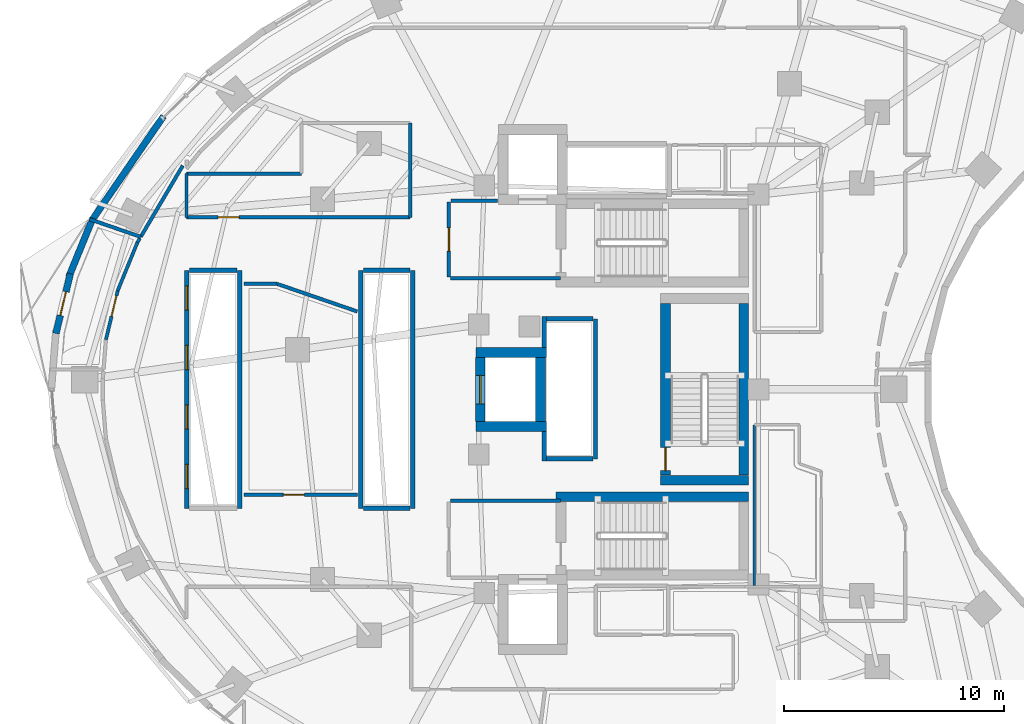
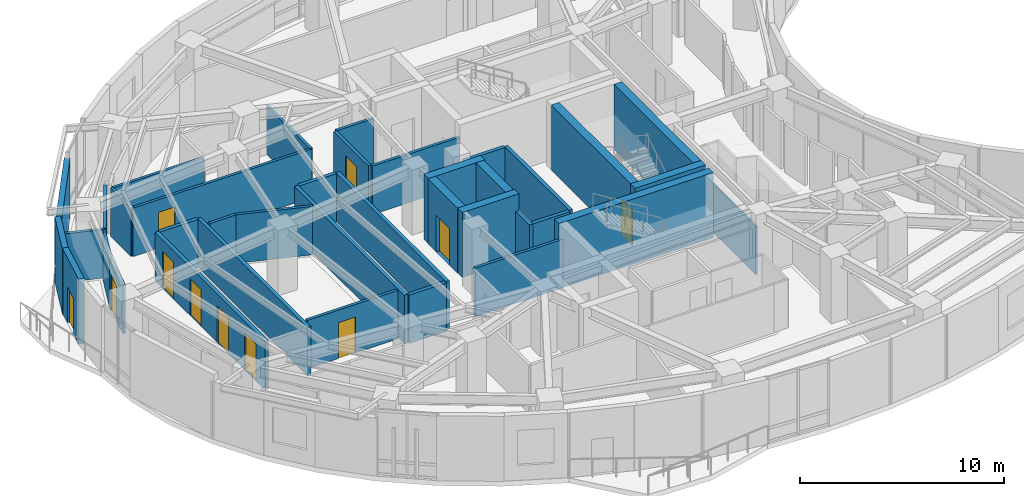
# One storey, part 9 of 15: 40 walls, 11 doors, 11 openings.
"""IFC4 building model written with IfcOpenShell, lengths in metres."""

from ifc_helpers import new_model, si_unit, direction, frame, frame_2d, origin, place, context, subcontext, project, spatial, rectangle, extrude, material, layer, layer_set, type_object, element, fill, save


model = new_model("IFC4")

# Units and contexts
model_context = context("Model", 3, precision=1e-05, world=origin(), true_north=direction((0.0, 1.0)))
body_context = subcontext(model_context, "Body", "Model", "MODEL_VIEW")
ifc_project = project(units=[si_unit("LENGTHUNIT", "METRE"), si_unit("AREAUNIT", "SQUARE_METRE"), si_unit("VOLUMEUNIT", "CUBIC_METRE"), si_unit("PLANEANGLEUNIT", "RADIAN"), si_unit("MASSUNIT", "GRAM", prefix="KILO")], contexts=[model_context])

# Site, building, storey
site_placement = place(None, origin())
site = spatial("IfcSite", under=ifc_project, at=site_placement, CompositionType="ELEMENT")
building_placement = place(site_placement, origin())
building = spatial("IfcBuilding", under=site, at=building_placement, Name="Korentha Bioscience Tower", CompositionType="ELEMENT")
storey_placement = place(building_placement, frame((0.0, 0.0, 127.800048828125)))
storey = spatial("IfcBuildingStorey", under=building, at=storey_placement, Name="L29", CompositionType="ELEMENT", Elevation=127.800048828125)

# Wall, opening, door
ifc_material_1 = material(Name="Double-Stud Acoustic Gypsum", Category="gypsum")
ifc_layer_1 = layer(ifc_material_1, 0.14990234375, Name="Double-Stud Acoustic Gypsum")
ifc_layer_set_1 = layer_set([ifc_layer_1], Name="Double-Stud Acoustic Gypsum (IW-L150)")
wall_type_1 = type_object("IfcWallType", Name="Acoustic Laboratory Partition Wall 150", PredefinedType="PARTITIONING", material=ifc_layer_set_1)
wall_1_placement = place(storey_placement, frame((21.739990234375, 34.81005859375, 0.0), z_axis=(0.0, 0.0, 1.0), x_axis=(-1.0, 0.0, 0.0)))
wall_1 = element("IfcWall", 1, at=wall_1_placement, inside=storey, type_object=wall_type_1, Name="L29 Engineered Bio-Foundry Wet Lab 10 Entrance Wall", PredefinedType="PARTITIONING", context=body_context, shape_type="SweptSolid", body=[
    extrude(rectangle(XDim=10.14990234375, YDim=0.14990234375, at=frame_2d((5.074951171875, 0.0))), origin(), (0.0, 0.0, 1.0), 2.909912109375),
])
opening_1_placement = place(wall_1_placement, frame((7.76220703125, 0.0, 0.0)))
opening_1 = element("IfcOpeningElement", 2, at=opening_1_placement, cuts=wall_1, Name="Opening ID-10L", PredefinedType="OPENING", context=body_context, shape_type="SweptSolid", body=[
    extrude(rectangle(XDim=0.949951171875, YDim=2.14990234375, at=frame_2d((0.47509765625, 1.074951171875))), frame((0.0, 0.08984375, 0.0), z_axis=(0.0, -1.0, 0.0), x_axis=(1.0, 0.0, 0.0)), (0.0, 0.0, 1.0), 0.1796875),
])
ifc_material_2 = material(Name="Phenolic Laminate Timber Core", Category="wood")
door_type_1 = type_object("IfcDoorType", Name="Laboratory Single Leaf Door 950x2150 Left", OperationType="SINGLE_SWING_LEFT", PredefinedType="DOOR", material=ifc_material_2)
door_1_placement = place(opening_1_placement, origin())
door_1 = element("IfcDoor", 3, at=door_1_placement, inside=storey, type_object=door_type_1, Name="L29 Engineered Bio-Foundry Wet Lab 10 Door", OperationType="SINGLE_SWING_LEFT", OverallHeight=2.14990234375, OverallWidth=0.949951171875, PredefinedType="DOOR", context=body_context, shape_type="SweptSolid", body=[
    extrude(rectangle(XDim=0.949951171875, YDim=2.14990234375, at=frame_2d((0.47509765625, 1.074951171875))), frame((0.0, 0.02490234375, 0.0), z_axis=(0.0, -1.0, 0.0), x_axis=(1.0, 0.0, 0.0)), (0.0, 0.0, 1.0), 0.050048828125),
])
fill(opening_1, door_1)

wall_2_placement = place(storey_placement, frame((8.4658203125, 31.478515625, 0.0), z_axis=(0.0, 0.0, 1.0), x_axis=(-0.233675196412, -0.972314713754, 0.0)))
wall_2 = element("IfcWall", 4, at=wall_2_placement, inside=storey, type_object=wall_type_1, Name="L29 Robotic Liquid-Handling Suite 11 Entrance Wall", PredefinedType="PARTITIONING", context=body_context, shape_type="SweptSolid", body=[
    extrude(rectangle(XDim=2.291259765625, YDim=0.14990234375, at=frame_2d((1.1455078125, 0.0))), origin(), (0.0, 0.0, 1.0), 2.909912109375),
])
opening_2_placement = place(wall_2_placement, frame((0.239990234375, 0.0, 0.0)))
opening_2 = element("IfcOpeningElement", 5, at=opening_2_placement, cuts=wall_2, Name="Opening ID-10R", PredefinedType="OPENING", context=body_context, shape_type="SweptSolid", body=[
    extrude(rectangle(XDim=0.949951171875, YDim=2.14990234375, at=frame_2d((0.47509765625, 1.074951171875))), frame((0.0, 0.08984375, 0.0), z_axis=(0.0, -1.0, 0.0), x_axis=(1.0, 0.0, 0.0)), (0.0, 0.0, 1.0), 0.1796875),
])
door_type_2 = type_object("IfcDoorType", Name="Laboratory Single Leaf Door 950x2150 Right", OperationType="SINGLE_SWING_RIGHT", PredefinedType="DOOR", material=ifc_material_2)
door_2_placement = place(opening_2_placement, origin())
door_2 = element("IfcDoor", 6, at=door_2_placement, inside=storey, type_object=door_type_2, Name="L29 Robotic Liquid-Handling Suite 11 Door", OperationType="SINGLE_SWING_RIGHT", OverallHeight=2.14990234375, OverallWidth=0.949951171875, PredefinedType="DOOR", context=body_context, shape_type="SweptSolid", body=[
    extrude(rectangle(XDim=0.949951171875, YDim=2.14990234375, at=frame_2d((0.47509765625, 1.074951171875))), frame((0.0, 0.02490234375, 0.0), z_axis=(0.0, -1.0, 0.0), x_axis=(1.0, 0.0, 0.0)), (0.0, 0.0, 1.0), 0.050048828125),
])
fill(opening_2, door_2)

# Walls
wall_3_placement = place(storey_placement, frame((21.739990234375, 39.090087890625, 0.0), z_axis=(0.0, 0.0, 1.0), x_axis=(0.0, -1.0, 0.0)))
element("IfcWall", 7, at=wall_3_placement, inside=storey, type_object=wall_type_1, Name="L29 Interior Partition 088", PredefinedType="PARTITIONING", context=body_context, shape_type="SweptSolid", body=[
    extrude(rectangle(XDim=4.280029296875, YDim=0.14990234375, at=frame_2d((2.14013671875, 0.0))), origin(), (0.0, 0.0, 1.0), 2.909912109375),
])
wall_4_placement = place(storey_placement, frame((11.590087890625, 34.81005859375, 0.0), z_axis=(0.0, 0.0, 1.0), x_axis=(0.0, 1.0, 0.0)))
element("IfcWall", 8, at=wall_4_placement, inside=storey, type_object=wall_type_1, Name="L29 Interior Partition 089", PredefinedType="PARTITIONING", context=body_context, shape_type="SweptSolid", body=[
    extrude(rectangle(XDim=1.97998046875, YDim=0.14990234375, at=frame_2d((0.989990234375, 0.0))), origin(), (0.0, 0.0, 1.0), 2.909912109375),
])
wall_5_placement = place(storey_placement, frame((11.590087890625, 36.7900390625, 0.0), z_axis=(0.0, 0.0, 1.0), x_axis=(1.0, 0.0, 0.0)))
element("IfcWall", 9, at=wall_5_placement, inside=storey, type_object=wall_type_1, Name="L29 Interior Partition 090", PredefinedType="PARTITIONING", context=body_context, shape_type="SweptSolid", body=[
    extrude(rectangle(XDim=5.2099609375, YDim=0.14990234375, at=frame_2d((2.60498046875, 0.0))), origin(), (0.0, 0.0, 1.0), 2.909912109375),
])
wall_6_placement = place(storey_placement, frame((9.46826171875, 33.848876953125, 0.0), z_axis=(0.0, 0.0, 1.0), x_axis=(-0.507963400782, -0.86137865278, 0.0)))
element("IfcWall", 10, at=wall_6_placement, inside=storey, type_object=wall_type_1, Name="L29 Interior Partition 091", PredefinedType="PARTITIONING", context=body_context, shape_type="SweptSolid", body=[
    extrude(rectangle(XDim=0.21484375, YDim=0.14990234375, at=frame_2d((0.107421875, 0.0))), origin(), (0.0, 0.0, 1.0), 2.909912109375),
])
wall_7_placement = place(storey_placement, frame((9.3583984375, 33.66259765625, 0.0), z_axis=(0.0, 0.0, 1.0), x_axis=(-0.378306283753, -0.925680482495, 0.0)))
element("IfcWall", 11, at=wall_7_placement, inside=storey, type_object=wall_type_1, Name="L29 Interior Partition 092", PredefinedType="PARTITIONING", context=body_context, shape_type="SweptSolid", body=[
    extrude(rectangle(XDim=2.358154296875, YDim=0.14990234375, at=frame_2d((1.17919921875, 0.0))), origin(), (0.0, 0.0, 1.0), 2.909912109375),
])
ifc_material_3 = material(Name="Fire-Rated Framed Glass", Category="glass")
ifc_layer_2 = layer(ifc_material_3, 0.110107421875, Name="Fire-Rated Framed Glass")
ifc_layer_set_2 = layer_set([ifc_layer_2], Name="Fire-Rated Framed Glass (IW-G110)")
wall_type_2 = type_object("IfcWallType", Name="Demountable Glazed Office Partition 110", PredefinedType="MOVABLE", material=ifc_layer_set_2)
wall_8_placement = place(storey_placement, frame((37.360107421875, 18.10009765625, 0.0), z_axis=(0.0, 0.0, 1.0), x_axis=(0.0, 1.0, 0.0)))
element("IfcWall", 12, at=wall_8_placement, inside=storey, type_object=wall_type_2, Name="L29 Interior Partition 055", PredefinedType="MOVABLE", context=body_context, shape_type="SweptSolid", body=[
    extrude(rectangle(XDim=7.289794921875, YDim=0.110107421875, at=frame_2d((3.64501953125, 0.0))), origin(), (0.0, 0.0, 1.0), 2.909912109375),
])

# Wall, opening, door
ifc_material_4 = material(Name="Gypsum-Clad Steel Stud", Category="steel")
ifc_layer_3 = layer(ifc_material_4, 0.159912109375, Name="Gypsum-Clad Steel Stud")
ifc_layer_set_3 = layer_set([ifc_layer_3], Name="Gypsum-Clad Steel Stud (IW-C160)")
wall_type_3 = type_object("IfcWallType", Name="Fire-Rated Corridor Partition Wall 160", PredefinedType="PARTITIONING", material=ifc_layer_set_3)
wall_9_placement = place(storey_placement, frame((23.5, 32.10009765625, 0.0), z_axis=(0.0, 0.0, 1.0), x_axis=(0.0, 1.0, 0.0)))
wall_9 = element("IfcWall", 13, at=wall_9_placement, inside=storey, type_object=wall_type_3, Name="L29 FFLN-CW Rated Enclosure Wall", PredefinedType="PARTITIONING", context=body_context, shape_type="SweptSolid", body=[
    extrude(rectangle(XDim=3.39990234375, YDim=0.159912109375, at=frame_2d((1.699951171875, 0.0))), origin(), (0.0, 0.0, 1.0), 2.909912109375),
])
opening_3_placement = place(wall_9_placement, frame((1.175048828125, 0.0, 0.0)))
opening_3 = element("IfcOpeningElement", 14, at=opening_3_placement, cuts=wall_9, Name="Opening FD-90R", PredefinedType="OPENING", context=body_context, shape_type="SweptSolid", body=[
    extrude(rectangle(XDim=1.050048828125, YDim=2.14990234375, at=frame_2d((0.52490234375, 1.074951171875))), frame((0.0, 0.0947265625, 0.0), z_axis=(0.0, -1.0, 0.0), x_axis=(1.0, 0.0, 0.0)), (0.0, 0.0, 1.0), 0.189697265625),
])
ifc_material_5 = material(Name="Powder-Coated Fire-Rated Steel", Category="steel")
door_type_3 = type_object("IfcDoorType", Name="Stairwell Fire Exit Door 1050x2150 Right", OperationType="SINGLE_SWING_RIGHT", PredefinedType="DOOR", material=ifc_material_5)
door_3_placement = place(opening_3_placement, origin())
door_3 = element("IfcDoor", 15, at=door_3_placement, inside=storey, type_object=door_type_3, Name="L29 North Firefighting Lobby Door", OperationType="SINGLE_SWING_RIGHT", OverallHeight=2.14990234375, OverallWidth=1.050048828125, PredefinedType="DOOR", context=body_context, shape_type="SweptSolid", body=[
    extrude(rectangle(XDim=1.050048828125, YDim=2.14990234375, at=frame_2d((0.52490234375, 1.074951171875))), frame((0.0, 0.02490234375, 0.0), z_axis=(0.0, -1.0, 0.0), x_axis=(1.0, 0.0, 0.0)), (0.0, 0.0, 1.0), 0.050048828125),
])
fill(opening_3, door_3)

# Walls
wall_10_placement = place(storey_placement, frame((23.580078125, 32.050048828125, 0.0), z_axis=(0.0, 0.0, 1.0), x_axis=(1.0, 0.0, 0.0)))
element("IfcWall", 16, at=wall_10_placement, inside=storey, type_object=wall_type_3, Name="L29 Firefighting Lobby Return Wall FFLN-S", PredefinedType="PARTITIONING", context=body_context, shape_type="SweptSolid", body=[
    extrude(rectangle(XDim=4.969970703125, YDim=0.159912109375, at=frame_2d((2.48486328125, 0.0))), origin(), (0.0, 0.0, 1.0), 2.909912109375),
])
wall_11_placement = place(storey_placement, frame((23.580078125, 35.550048828125, 0.0), z_axis=(0.0, 0.0, 1.0), x_axis=(1.0, 0.0, 0.0)))
element("IfcWall", 17, at=wall_11_placement, inside=storey, type_object=wall_type_3, Name="L29 Firefighting Lobby Return Wall FFLN-N", PredefinedType="PARTITIONING", context=body_context, shape_type="SweptSolid", body=[
    extrude(rectangle(XDim=2.119873046875, YDim=0.159912109375, at=frame_2d((1.06005859375, 0.0))), origin(), (0.0, 0.0, 1.0), 2.909912109375),
])
wall_12_placement = place(storey_placement, frame((23.580078125, 21.949951171875, 0.0), z_axis=(0.0, 0.0, 1.0), x_axis=(1.0, 0.0, 0.0)))
element("IfcWall", 18, at=wall_12_placement, inside=storey, type_object=wall_type_3, Name="L29 Firefighting Lobby Return Wall FFLS-N", PredefinedType="PARTITIONING", context=body_context, shape_type="SweptSolid", body=[
    extrude(rectangle(XDim=4.969970703125, YDim=0.159912109375, at=frame_2d((2.48486328125, 0.0))), origin(), (0.0, 0.0, 1.0), 2.909912109375),
])

# Wall, opening, door
wall_13_placement = place(storey_placement, frame((19.340087890625, 22.2099609375, 0.0), z_axis=(0.0, 0.0, 1.0), x_axis=(-1.0, 0.0, 0.0)))
wall_13 = element("IfcWall", 19, at=wall_13_placement, inside=storey, type_object=wall_type_3, Name="L29 Biospecimen Archive Store 01 Entrance Wall", PredefinedType="PARTITIONING", context=body_context, shape_type="SweptSolid", body=[
    extrude(rectangle(XDim=5.13818359375, YDim=0.159912109375, at=frame_2d((2.569091796875, 0.0))), origin(), (0.0, 0.0, 1.0), 2.909912109375),
])
opening_4_placement = place(wall_13_placement, frame((2.40625, 0.0, 0.0)))
opening_4 = element("IfcOpeningElement", 20, at=opening_4_placement, cuts=wall_13, Name="Opening ID-10R", PredefinedType="OPENING", context=body_context, shape_type="SweptSolid", body=[
    extrude(rectangle(XDim=0.949951171875, YDim=2.14990234375, at=frame_2d((0.47509765625, 1.074951171875))), frame((0.0, 0.0947265625, 0.0), z_axis=(0.0, -1.0, 0.0), x_axis=(1.0, 0.0, 0.0)), (0.0, 0.0, 1.0), 0.189697265625),
])
door_4_placement = place(opening_4_placement, origin())
door_4 = element("IfcDoor", 21, at=door_4_placement, inside=storey, type_object=door_type_2, Name="L29 Biospecimen Archive Store 01 Door", OperationType="SINGLE_SWING_RIGHT", OverallHeight=2.14990234375, OverallWidth=0.949951171875, PredefinedType="DOOR", context=body_context, shape_type="SweptSolid", body=[
    extrude(rectangle(XDim=0.949951171875, YDim=2.14990234375, at=frame_2d((0.47509765625, 1.074951171875))), frame((0.0, 0.02490234375, 0.0), z_axis=(0.0, -1.0, 0.0), x_axis=(1.0, 0.0, 0.0)), (0.0, 0.0, 1.0), 0.050048828125),
])
fill(opening_4, door_4)

# Walls
wall_14_placement = place(storey_placement, frame((14.201904296875, 31.7900390625, 0.0), z_axis=(0.0, 0.0, 1.0), x_axis=(1.0, 0.0, 0.0)))
element("IfcWall", 22, at=wall_14_placement, inside=storey, type_object=wall_type_3, Name="L29 Interior Partition 019", PredefinedType="PARTITIONING", context=body_context, shape_type="SweptSolid", body=[
    extrude(rectangle(XDim=1.488525390625, YDim=0.159912109375, at=frame_2d((0.744140625, 0.0))), origin(), (0.0, 0.0, 1.0), 2.909912109375),
])
wall_15_placement = place(storey_placement, frame((15.6904296875, 31.7900390625, 0.0), z_axis=(0.0, 0.0, 1.0), x_axis=(0.945518754025, -0.32556763627, 0.0)))
element("IfcWall", 23, at=wall_15_placement, inside=storey, type_object=wall_type_3, Name="L29 Interior Partition 020", PredefinedType="PARTITIONING", context=body_context, shape_type="SweptSolid", body=[
    extrude(rectangle(XDim=3.859619140625, YDim=0.159912109375, at=frame_2d((1.9296875, 0.0))), origin(), (0.0, 0.0, 1.0), 2.909912109375),
])
wall_16_placement = place(storey_placement, frame((11.418701171875, 37.154296875, 0.0), z_axis=(0.0, 0.0, 1.0), x_axis=(-0.508216412194, -0.861229399392, 0.0)))
element("IfcWall", 24, at=wall_16_placement, inside=storey, type_object=wall_type_3, Name="L29 Interior Partition 084", PredefinedType="PARTITIONING", context=body_context, shape_type="SweptSolid", body=[
    extrude(rectangle(XDim=3.753173828125, YDim=0.159912109375, at=frame_2d((1.87646484375, 0.0))), origin(), (0.0, 0.0, 1.0), 2.909912109375),
])
wall_17_placement = place(storey_placement, frame((9.51123046875, 33.921875, 0.0), z_axis=(0.0, 0.0, 1.0), x_axis=(-0.945502944909, 0.325613545737, 0.0)))
element("IfcWall", 25, at=wall_17_placement, inside=storey, type_object=wall_type_3, Name="L29 Interior Partition 085", PredefinedType="PARTITIONING", context=body_context, shape_type="SweptSolid", body=[
    extrude(rectangle(XDim=2.4541015625, YDim=0.159912109375, at=frame_2d((1.22705078125, 0.0))), origin(), (0.0, 0.0, 1.0), 2.909912109375),
])

# Wall, opening, door
ifc_material_6 = material(Name="Honed Limestone Precast Concrete C40", Category="masonry")
ifc_layer_4 = layer(ifc_material_6, 0.300048828125, Name="Honed Limestone Precast Concrete C40")
ifc_layer_set_4 = layer_set([ifc_layer_4], Name="Honed Limestone Precast Concrete C40 (EW-ST300)")
wall_type_4 = type_object("IfcWallType", Name="Honed Limestone Cavity Spandrel Wall 300", PredefinedType="STANDARD", material=ifc_layer_set_4)
wall_18_placement = place(storey_placement, frame((6.316162109375, 32.248046875, 0.0), z_axis=(0.0, 0.0, 1.0), x_axis=(-0.233687533313, -0.972311748759, 0.0)))
wall_18 = element("IfcWall", 26, at=wall_18_placement, inside=storey, type_object=wall_type_4, Name="L29 Balcony Threshold Wall 02", PredefinedType="STANDARD", context=body_context, shape_type="SweptSolid", body=[
    extrude(rectangle(XDim=2.788330078125, YDim=0.300048828125, at=frame_2d((1.39404296875, 0.0))), origin(), (0.0, 0.0, 1.0), 3.89990234375),
])
opening_5_placement = place(wall_18_placement, frame((0.84423828125, 0.0, 0.0)))
opening_5 = element("IfcOpeningElement", 27, at=opening_5_placement, cuts=wall_18, Name="Opening BD-11R", PredefinedType="OPENING", context=body_context, shape_type="SweptSolid", body=[
    extrude(rectangle(XDim=1.10009765625, YDim=2.14990234375, at=frame_2d((0.550048828125, 1.074951171875))), frame((0.0, 0.1650390625, 0.0), z_axis=(0.0, -1.0, 0.0), x_axis=(1.0, 0.0, 0.0)), (0.0, 0.0, 1.0), 0.329833984375),
])
ifc_material_7 = material(Name="Thermally Broken Glazed Aluminium", Category="aluminium")
door_type_4 = type_object("IfcDoorType", Name="Balcony Terrace Glazed Door 1100x2150 Right", OperationType="SINGLE_SWING_RIGHT", PredefinedType="DOOR", material=ifc_material_7)
door_5_placement = place(opening_5_placement, origin())
door_5 = element("IfcDoor", 28, at=door_5_placement, inside=storey, type_object=door_type_4, Name="L29 Balcony Access Door 02", OperationType="SINGLE_SWING_RIGHT", OverallHeight=2.14990234375, OverallWidth=1.10009765625, PredefinedType="DOOR", context=body_context, shape_type="SweptSolid", body=[
    extrude(rectangle(XDim=1.10009765625, YDim=2.14990234375, at=frame_2d((0.550048828125, 1.074951171875))), frame((0.0, 0.02490234375, 0.0), z_axis=(0.0, -1.0, 0.0), x_axis=(1.0, 0.0, 0.0)), (0.0, 0.0, 1.0), 0.050048828125),
])
fill(opening_5, door_5)

# Walls
wall_19_placement = place(storey_placement, frame((10.54833984375, 39.400390625, 0.0), z_axis=(0.0, 0.0, 1.0), x_axis=(-0.566825798999, -0.823837674296, 0.0)))
element("IfcWall", 29, at=wall_19_placement, inside=storey, type_object=wall_type_4, Name="L29 Limestone Perimeter Closure Wall 14", PredefinedType="STANDARD", context=body_context, shape_type="SweptSolid", body=[
    extrude(rectangle(XDim=5.825927734375, YDim=0.300048828125, at=frame_2d((2.9130859375, 0.0))), origin(), (0.0, 0.0, 1.0), 3.469970703125),
])
wall_20_placement = place(storey_placement, frame((7.336181640625, 34.76708984375, 0.0), z_axis=(0.0, 0.0, 1.0), x_axis=(-0.378421675944, -0.925633315722, 0.0)))
element("IfcWall", 30, at=wall_20_placement, inside=storey, type_object=wall_type_4, Name="L29 Limestone Perimeter Closure Wall 16", PredefinedType="STANDARD", context=body_context, shape_type="SweptSolid", body=[
    extrude(rectangle(XDim=2.88134765625, YDim=0.300048828125, at=frame_2d((1.440673828125, 0.0))), origin(), (0.0, 0.0, 1.0), 3.89990234375),
])

# Wall, openings, doors
ifc_material_8 = material(Name="Autoclaved Aerated Concrete Block C25", Category="concrete")
ifc_layer_5 = layer(ifc_material_8, 0.199951171875, Name="Autoclaved Aerated Concrete Block C25")
ifc_layer_set_5 = layer_set([ifc_layer_5], Name="Autoclaved Aerated Concrete Block C25 (IW-S200)")
wall_type_5 = type_object("IfcWallType", Name="Lift and Riser Shaft Enclosure Wall 200", PredefinedType="PARTITIONING", material=ifc_layer_set_5)
wall_21_placement = place(storey_placement, frame((11.60009765625, 21.60009765625, 0.0), z_axis=(0.0, 0.0, 1.0), x_axis=(0.0, 1.0, 0.0)))
wall_21 = element("IfcWall", 31, at=wall_21_placement, inside=storey, type_object=wall_type_5, Name="L29 Lift Bank LOW Shaft Wall -X", PredefinedType="PARTITIONING", context=body_context, shape_type="SweptSolid", body=[
    extrude(rectangle(XDim=10.7998046875, YDim=0.199951171875, at=frame_2d((5.39990234375, 0.0))), origin(), (0.0, 0.0, 1.0), 2.909912109375),
])
opening_6_placement = place(wall_21_placement, frame((0.89990234375, 0.0, 0.0)))
opening_6 = element("IfcOpeningElement", 32, at=opening_6_placement, cuts=wall_21, Name="Opening LD-11", PredefinedType="OPENING", context=body_context, shape_type="SweptSolid", body=[
    extrude(rectangle(XDim=1.10009765625, YDim=2.199951171875, at=frame_2d((0.550048828125, 1.10009765625))), frame((0.0, 0.11474609375, 0.0), z_axis=(0.0, -1.0, 0.0), x_axis=(1.0, 0.0, 0.0)), (0.0, 0.0, 1.0), 0.229736328125),
])
opening_7_placement = place(wall_21_placement, frame((3.60009765625, 0.0, 0.0)))
opening_7 = element("IfcOpeningElement", 33, at=opening_7_placement, cuts=wall_21, Name="Opening LD-11", PredefinedType="OPENING", context=body_context, shape_type="SweptSolid", body=[
    extrude(rectangle(XDim=1.10009765625, YDim=2.199951171875, at=frame_2d((0.550048828125, 1.10009765625))), frame((0.0, 0.11474609375, 0.0), z_axis=(0.0, -1.0, 0.0), x_axis=(1.0, 0.0, 0.0)), (0.0, 0.0, 1.0), 0.229736328125),
])
opening_8_placement = place(wall_21_placement, frame((6.300048828125, 0.0, 0.0)))
opening_8 = element("IfcOpeningElement", 34, at=opening_8_placement, cuts=wall_21, Name="Opening LD-11", PredefinedType="OPENING", context=body_context, shape_type="SweptSolid", body=[
    extrude(rectangle(XDim=1.10009765625, YDim=2.199951171875, at=frame_2d((0.550048828125, 1.10009765625))), frame((0.0, 0.11474609375, 0.0), z_axis=(0.0, -1.0, 0.0), x_axis=(1.0, 0.0, 0.0)), (0.0, 0.0, 1.0), 0.229736328125),
])
opening_9_placement = place(wall_21_placement, frame((9.0, 0.0, 0.0)))
opening_9 = element("IfcOpeningElement", 35, at=opening_9_placement, cuts=wall_21, Name="Opening LD-11", PredefinedType="OPENING", context=body_context, shape_type="SweptSolid", body=[
    extrude(rectangle(XDim=1.10009765625, YDim=2.199951171875, at=frame_2d((0.550048828125, 1.10009765625))), frame((0.0, 0.11474609375, 0.0), z_axis=(0.0, -1.0, 0.0), x_axis=(1.0, 0.0, 0.0)), (0.0, 0.0, 1.0), 0.229736328125),
])
ifc_material_9 = material(Name="Brushed Stainless Steel 304", Category="steel")
door_type_5 = type_object("IfcDoorType", Name="Passenger Lift Sliding Landing Door 1100x2200", OperationType="DOUBLE_DOOR_SLIDING", PredefinedType="DOOR", material=ifc_material_9)
door_6_placement = place(opening_6_placement, origin())
door_6 = element("IfcDoor", 36, at=door_6_placement, inside=storey, type_object=door_type_5, Name="L29 PL-L1 Sliding Lift Landing Door", OperationType="DOUBLE_DOOR_SLIDING", OverallHeight=2.199951171875, OverallWidth=1.10009765625, PredefinedType="DOOR", context=body_context, shape_type="SweptSolid", body=[
    extrude(rectangle(XDim=1.10009765625, YDim=2.199951171875, at=frame_2d((0.550048828125, 1.10009765625))), frame((0.0, 0.02490234375, 0.0), z_axis=(0.0, -1.0, 0.0), x_axis=(1.0, 0.0, 0.0)), (0.0, 0.0, 1.0), 0.050048828125),
])
fill(opening_6, door_6)
door_7_placement = place(opening_7_placement, origin())
door_7 = element("IfcDoor", 37, at=door_7_placement, inside=storey, type_object=door_type_5, Name="L29 PL-L2 Sliding Lift Landing Door", OperationType="DOUBLE_DOOR_SLIDING", OverallHeight=2.199951171875, OverallWidth=1.10009765625, PredefinedType="DOOR", context=body_context, shape_type="SweptSolid", body=[
    extrude(rectangle(XDim=1.10009765625, YDim=2.199951171875, at=frame_2d((0.550048828125, 1.10009765625))), frame((0.0, 0.02490234375, 0.0), z_axis=(0.0, -1.0, 0.0), x_axis=(1.0, 0.0, 0.0)), (0.0, 0.0, 1.0), 0.050048828125),
])
fill(opening_7, door_7)
door_8_placement = place(opening_8_placement, origin())
door_8 = element("IfcDoor", 38, at=door_8_placement, inside=storey, type_object=door_type_5, Name="L29 PL-L3 Sliding Lift Landing Door", OperationType="DOUBLE_DOOR_SLIDING", OverallHeight=2.199951171875, OverallWidth=1.10009765625, PredefinedType="DOOR", context=body_context, shape_type="SweptSolid", body=[
    extrude(rectangle(XDim=1.10009765625, YDim=2.199951171875, at=frame_2d((0.550048828125, 1.10009765625))), frame((0.0, 0.02490234375, 0.0), z_axis=(0.0, -1.0, 0.0), x_axis=(1.0, 0.0, 0.0)), (0.0, 0.0, 1.0), 0.050048828125),
])
fill(opening_8, door_8)
door_9_placement = place(opening_9_placement, origin())
door_9 = element("IfcDoor", 39, at=door_9_placement, inside=storey, type_object=door_type_5, Name="L29 PL-L4 Sliding Lift Landing Door", OperationType="DOUBLE_DOOR_SLIDING", OverallHeight=2.199951171875, OverallWidth=1.10009765625, PredefinedType="DOOR", context=body_context, shape_type="SweptSolid", body=[
    extrude(rectangle(XDim=1.10009765625, YDim=2.199951171875, at=frame_2d((0.550048828125, 1.10009765625))), frame((0.0, 0.02490234375, 0.0), z_axis=(0.0, -1.0, 0.0), x_axis=(1.0, 0.0, 0.0)), (0.0, 0.0, 1.0), 0.050048828125),
])
fill(opening_9, door_9)

# Walls
wall_22_placement = place(storey_placement, frame((14.0, 21.60009765625, 0.0), z_axis=(0.0, 0.0, 1.0), x_axis=(0.0, 1.0, 0.0)))
element("IfcWall", 40, at=wall_22_placement, inside=storey, type_object=wall_type_5, Name="L29 Lift Bank LOW Shaft Wall +X", PredefinedType="PARTITIONING", context=body_context, shape_type="SweptSolid", body=[
    extrude(rectangle(XDim=10.7998046875, YDim=0.199951171875, at=frame_2d((5.39990234375, 0.0))), origin(), (0.0, 0.0, 1.0), 2.909912109375),
])
wall_23_placement = place(storey_placement, frame((11.719970703125, 32.39990234375, 0.0), z_axis=(0.0, 0.0, 1.0), x_axis=(1.0, 0.0, 0.0)))
element("IfcWall", 41, at=wall_23_placement, inside=storey, type_object=wall_type_5, Name="L29 Lift Bank LOW Shaft Wall +Y", PredefinedType="PARTITIONING", context=body_context, shape_type="SweptSolid", body=[
    extrude(rectangle(XDim=2.159912109375, YDim=0.199951171875, at=frame_2d((1.080078125, 0.0))), origin(), (0.0, 0.0, 1.0), 2.909912109375),
])
for number, where, z_axis, x_axis, name in (
    (42, (19.5, 21.60009765625, 0.0), (0.0, 0.0, 1.0), (0.0, 1.0, 0.0), "L29 Lift Bank MID Shaft Wall -X"),
    (43, (21.85009765625, 21.60009765625, 0.0), (0.0, 0.0, 1.0), (0.0, 1.0, 0.0), "L29 Lift Bank MID Shaft Wall +X"),
):
    element("IfcWall", number, at=place(storey_placement, frame(where, z_axis=z_axis, x_axis=x_axis)), inside=storey, type_object=wall_type_5, Name=name, PredefinedType="PARTITIONING", context=body_context, shape_type="SweptSolid", body=[
        extrude(rectangle(XDim=10.7998046875, YDim=0.199951171875, at=frame_2d((5.39990234375, 0.0))), origin(), (0.0, 0.0, 1.0), 2.909912109375),
    ])
for number, where, z_axis, x_axis, name in (
    (44, (19.6201171875, 21.60009765625, 0.0), (0.0, 0.0, 1.0), (1.0, 0.0, 0.0), "L29 Lift Bank MID Shaft Wall -Y"),
    (45, (19.6201171875, 32.39990234375, 0.0), (0.0, 0.0, 1.0), (1.0, 0.0, 0.0), "L29 Lift Bank MID Shaft Wall +Y"),
):
    element("IfcWall", number, at=place(storey_placement, frame(where, z_axis=z_axis, x_axis=x_axis)), inside=storey, type_object=wall_type_5, Name=name, PredefinedType="PARTITIONING", context=body_context, shape_type="SweptSolid", body=[
        extrude(rectangle(XDim=2.10986328125, YDim=0.199951171875, at=frame_2d((1.054931640625, 0.0))), origin(), (0.0, 0.0, 1.0), 2.909912109375),
    ])
wall_24_placement = place(storey_placement, frame((27.830078125, 23.75, 0.0), z_axis=(0.0, 0.0, 1.0), x_axis=(0.0, 1.0, 0.0)))
element("IfcWall", 46, at=wall_24_placement, inside=storey, type_object=wall_type_5, Name="L29 Lift Bank HIGH Shaft Wall -XS", PredefinedType="PARTITIONING", context=body_context, shape_type="SweptSolid", body=[
    extrude(rectangle(XDim=1.341064453125, YDim=0.199951171875, at=frame_2d((0.67041015625, 0.0))), origin(), (0.0, 0.0, 1.0), 2.909912109375),
])
wall_25_placement = place(storey_placement, frame((27.830078125, 28.908935546875, 0.0), z_axis=(0.0, 0.0, 1.0), x_axis=(0.0, 1.0, 0.0)))
element("IfcWall", 47, at=wall_25_placement, inside=storey, type_object=wall_type_5, Name="L29 Lift Bank HIGH Shaft Wall -XN", PredefinedType="PARTITIONING", context=body_context, shape_type="SweptSolid", body=[
    extrude(rectangle(XDim=1.39111328125, YDim=0.199951171875, at=frame_2d((0.695556640625, 0.0))), origin(), (0.0, 0.0, 1.0), 2.909912109375),
])
wall_26_placement = place(storey_placement, frame((30.14990234375, 23.85009765625, 0.0), z_axis=(0.0, 0.0, 1.0), x_axis=(0.0, 1.0, 0.0)))
element("IfcWall", 48, at=wall_26_placement, inside=storey, type_object=wall_type_5, Name="L29 Lift Bank HIGH Shaft Wall +X", PredefinedType="PARTITIONING", context=body_context, shape_type="SweptSolid", body=[
    extrude(rectangle(XDim=6.349853515625, YDim=0.199951171875, at=frame_2d((3.1748046875, 0.0))), origin(), (0.0, 0.0, 1.0), 2.909912109375),
])
for number, where, z_axis, x_axis, name in (
    (49, (27.93408203125, 23.85009765625, 0.0), (0.0, 0.0, 1.0), (1.0, 0.0, 0.0), "L29 Lift Bank HIGH Shaft Wall -Y"),
    (50, (27.93408203125, 30.199951171875, 0.0), (0.0, 0.0, 1.0), (1.0, 0.0, 0.0), "L29 Lift Bank HIGH Shaft Wall +Y"),
):
    element("IfcWall", number, at=place(storey_placement, frame(where, z_axis=z_axis, x_axis=x_axis)), inside=storey, type_object=wall_type_5, Name=name, PredefinedType="PARTITIONING", context=body_context, shape_type="SweptSolid", body=[
        extrude(rectangle(XDim=2.095947265625, YDim=0.199951171875, at=frame_2d((1.0478515625, 0.0))), origin(), (0.0, 0.0, 1.0), 2.909912109375),
    ])
ifc_material_10 = material(Name="Concrete C80", Category="concrete")
ifc_layer_6 = layer(ifc_material_10, 0.449951171875, Name="Concrete C80")
ifc_layer_set_6 = layer_set([ifc_layer_6], Name="Concrete C80 (CW-C80)")
wall_type_6 = type_object("IfcWallType", Name="Lower Core Shear Wall 450", PredefinedType="SHEAR", material=ifc_layer_set_6)
wall_27_placement = place(storey_placement, frame((28.35009765625, 22.125, 0.0), z_axis=(0.0, 0.0, 1.0), x_axis=(1.0, 0.0, 0.0)))
element("IfcWall", 51, at=wall_27_placement, inside=storey, type_object=wall_type_6, Name="L29 Core Shear Wall ST2-N", PredefinedType="SHEAR", context=body_context, shape_type="SweptSolid", body=[
    extrude(rectangle(XDim=8.75, YDim=0.449951171875, at=frame_2d((4.375, 0.0))), origin(), (0.0, 0.0, 1.0), 3.89990234375),
])
wall_28_placement = place(storey_placement, frame((33.10009765625, 22.875, 0.0), z_axis=(0.0, 0.0, 1.0), x_axis=(1.0, 0.0, 0.0)))
element("IfcWall", 52, at=wall_28_placement, inside=storey, type_object=wall_type_6, Name="L29 Core Shear Wall ST3-S", PredefinedType="SHEAR", context=body_context, shape_type="SweptSolid", body=[
    extrude(rectangle(XDim=4.0, YDim=0.449951171875, at=frame_2d((2.0, 0.0))), origin(), (0.0, 0.0, 1.0), 3.89990234375),
])
wall_29_placement = place(storey_placement, frame((36.875, 23.110107421875, 0.0), z_axis=(0.0, 0.0, 1.0), x_axis=(0.0, 1.0, 0.0)))
element("IfcWall", 53, at=wall_29_placement, inside=storey, type_object=wall_type_6, Name="L29 Core Shear Wall ST3-E", PredefinedType="SHEAR", context=body_context, shape_type="SweptSolid", body=[
    extrude(rectangle(XDim=7.77978515625, YDim=0.449951171875, at=frame_2d((3.889892578125, 0.0))), origin(), (0.0, 0.0, 1.0), 3.89990234375),
])

# Wall, opening, door
wall_30_placement = place(storey_placement, frame((33.324951171875, 23.110107421875, 0.0), z_axis=(0.0, 0.0, 1.0), x_axis=(0.0, 1.0, 0.0)))
wall_30 = element("IfcWall", 54, at=wall_30_placement, inside=storey, type_object=wall_type_6, Name="L29 Core Shear Wall ST3-W", PredefinedType="SHEAR", context=body_context, shape_type="SweptSolid", body=[
    extrude(rectangle(XDim=7.77978515625, YDim=0.449951171875, at=frame_2d((3.889892578125, 0.0))), origin(), (0.0, 0.0, 1.0), 3.89990234375),
])
opening_10_placement = place(wall_30_placement, frame((0.199951171875, 0.0, 0.0)))
opening_10 = element("IfcOpeningElement", 55, at=opening_10_placement, cuts=wall_30, Name="Opening FD-90R", PredefinedType="OPENING", context=body_context, shape_type="SweptSolid", body=[
    extrude(rectangle(XDim=1.050048828125, YDim=2.14990234375, at=frame_2d((0.52490234375, 1.074951171875))), frame((0.0, 0.23974609375, 0.0), z_axis=(0.0, -1.0, 0.0), x_axis=(1.0, 0.0, 0.0)), (0.0, 0.0, 1.0), 0.479736328125),
])
door_10_placement = place(opening_10_placement, origin())
door_10 = element("IfcDoor", 56, at=door_10_placement, inside=storey, type_object=door_type_3, Name="L29 ST-3 Fire Exit Stair Door", OperationType="SINGLE_SWING_RIGHT", OverallHeight=2.14990234375, OverallWidth=1.050048828125, PredefinedType="DOOR", context=body_context, shape_type="SweptSolid", body=[
    extrude(rectangle(XDim=1.050048828125, YDim=2.14990234375, at=frame_2d((0.52490234375, 1.074951171875))), frame((0.0, 0.02490234375, 0.0), z_axis=(0.0, -1.0, 0.0), x_axis=(1.0, 0.0, 0.0)), (0.0, 0.0, 1.0), 0.050048828125),
])
fill(opening_10, door_10)

# Walls
for number, where, z_axis, x_axis, name in (
    (57, (24.719970703125, 28.679931640625, 0.0), (0.0, 0.0, 1.0), (1.0, 0.0, 0.0), "L29 Core Shear Wall SVL1-N"),
    (58, (24.719970703125, 25.320068359375, 0.0), (0.0, 0.0, 1.0), (1.0, 0.0, 0.0), "L29 Core Shear Wall SVL1-S"),
):
    element("IfcWall", number, at=place(storey_placement, frame(where, z_axis=z_axis, x_axis=x_axis)), inside=storey, type_object=wall_type_6, Name=name, PredefinedType="SHEAR", context=body_context, shape_type="SweptSolid", body=[
        extrude(rectangle(XDim=3.2099609375, YDim=0.449951171875, at=frame_2d((1.60498046875, 0.0))), origin(), (0.0, 0.0, 1.0), 3.89990234375),
    ])

# Wall, opening, door
wall_31_placement = place(storey_placement, frame((24.919921875, 25.547119140625, 0.0), z_axis=(0.0, 0.0, 1.0), x_axis=(0.0, 1.0, 0.0)))
wall_31 = element("IfcWall", 59, at=wall_31_placement, inside=storey, type_object=wall_type_6, Name="L29 Core Shear Wall SVL1-W", PredefinedType="SHEAR", context=body_context, shape_type="SweptSolid", body=[
    extrude(rectangle(XDim=2.90576171875, YDim=0.449951171875, at=frame_2d((1.452880859375, 0.0))), origin(), (0.0, 0.0, 1.0), 3.89990234375),
])
opening_11_placement = place(wall_31_placement, frame((0.7900390625, 0.0, 0.0)))
opening_11 = element("IfcOpeningElement", 60, at=opening_11_placement, cuts=wall_31, Name="Opening LD-13", PredefinedType="OPENING", context=body_context, shape_type="SweptSolid", body=[
    extrude(rectangle(XDim=1.300048828125, YDim=2.199951171875, at=frame_2d((0.64990234375, 1.10009765625))), frame((0.0, 0.23974609375, 0.0), z_axis=(0.0, -1.0, 0.0), x_axis=(1.0, 0.0, 0.0)), (0.0, 0.0, 1.0), 0.479736328125),
])
ifc_material_11 = material(Name="Brushed Stainless Steel 316", Category="steel")
door_type_6 = type_object("IfcDoorType", Name="Service & Firefighting Lift Landing Door 1300x2300", OperationType="DOUBLE_DOOR_SLIDING", PredefinedType="DOOR", material=ifc_material_11)
door_11_placement = place(opening_11_placement, origin())
door_11 = element("IfcDoor", 61, at=door_11_placement, inside=storey, type_object=door_type_6, Name="L29 SVL-1 Sliding Lift Landing Door", OperationType="DOUBLE_DOOR_SLIDING", OverallHeight=2.199951171875, OverallWidth=1.300048828125, PredefinedType="DOOR", context=body_context, shape_type="SweptSolid", body=[
    extrude(rectangle(XDim=1.300048828125, YDim=2.199951171875, at=frame_2d((0.64990234375, 1.10009765625))), frame((0.0, 0.02490234375, 0.0), z_axis=(0.0, -1.0, 0.0), x_axis=(1.0, 0.0, 0.0)), (0.0, 0.0, 1.0), 0.050048828125),
])
fill(opening_11, door_11)

# Wall
wall_32_placement = place(storey_placement, frame((27.64990234375, 25.547119140625, 0.0), z_axis=(0.0, 0.0, 1.0), x_axis=(0.0, 1.0, 0.0)))
element("IfcWall", 62, at=wall_32_placement, inside=storey, type_object=wall_type_6, Name="L29 Core Shear Wall SVL1-E", PredefinedType="SHEAR", context=body_context, shape_type="SweptSolid", body=[
    extrude(rectangle(XDim=2.90576171875, YDim=0.449951171875, at=frame_2d((1.452880859375, 0.0))), origin(), (0.0, 0.0, 1.0), 3.89990234375),
])

save(model, "model.ifc")
